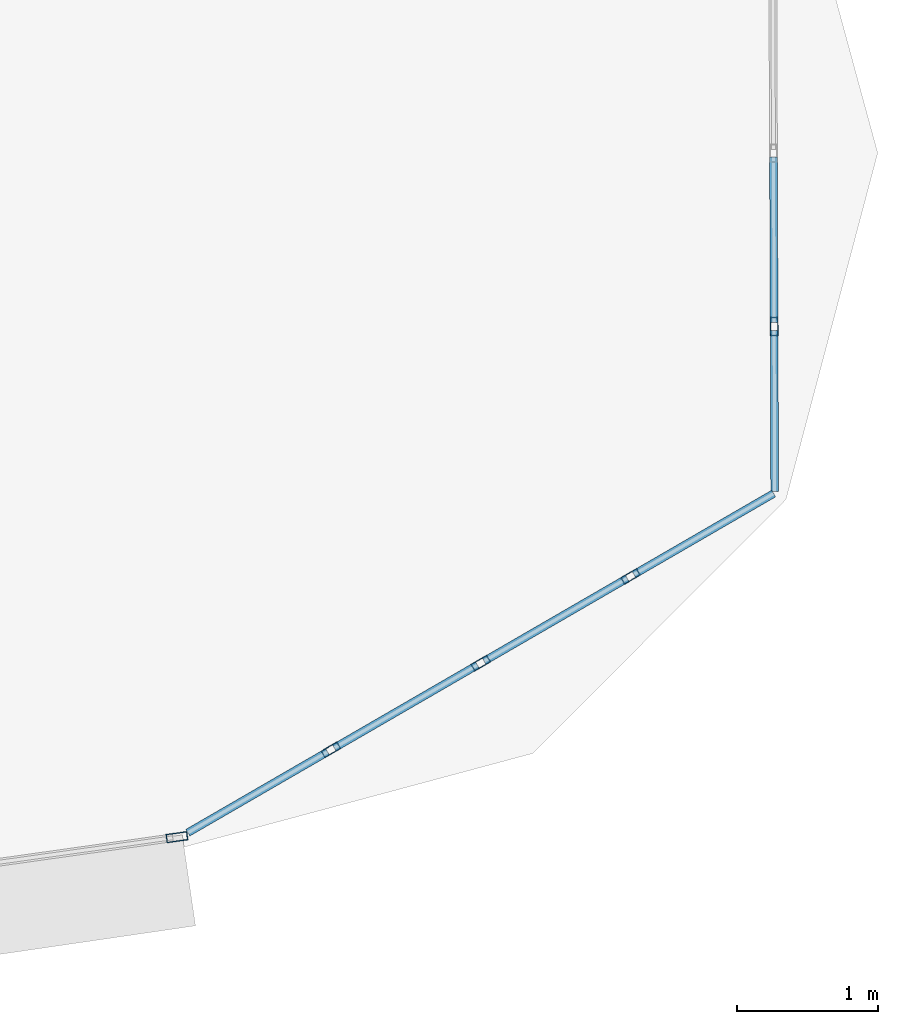
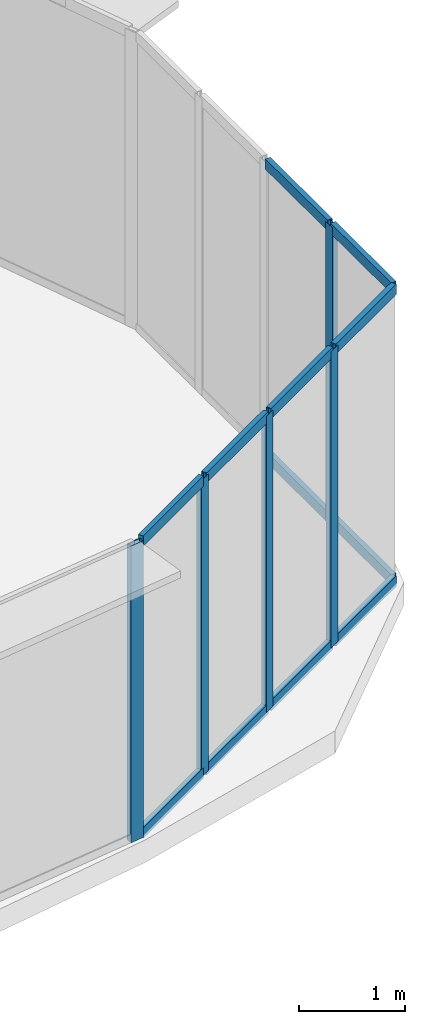
# One storey, part 24 of 41: 17 members, 3 elements without a shape of their own.
"""IFC4 building model written with IfcOpenShell, lengths in metres."""

from ifc_helpers import new_model, si_unit, direction, frame, origin, origin_2d, place, context, subcontext, project, spatial, hollow_rectangle, extrude, source, transform, mapped, material, layer, layer_set, material_profile, profile_set, type_object, element, aggregate, save


model = new_model("IFC4")

# Units and contexts
model_context = context("Model", 3, precision=1e-05, world=origin(), true_north=direction((0.0, 1.0)))
body_context = subcontext(model_context, "Body", "Model", "MODEL_VIEW")
ifc_project = project(units=[si_unit("LENGTHUNIT", "METRE"), si_unit("AREAUNIT", "SQUARE_METRE"), si_unit("VOLUMEUNIT", "CUBIC_METRE"), si_unit("PLANEANGLEUNIT", "RADIAN"), si_unit("MASSUNIT", "GRAM", prefix="KILO"), si_unit("THERMODYNAMICTEMPERATUREUNIT", "KELVIN"), si_unit("POWERUNIT", "WATT")], contexts=[model_context])

# Site, building, storey
site_placement = place(None, origin())
site = spatial("IfcSite", under=ifc_project, at=site_placement, CompositionType="ELEMENT")
building_placement = place(site_placement, origin())
building = spatial("IfcBuilding", under=site, at=building_placement, Name="Yunzhuo Pagoda Commons", CompositionType="ELEMENT")
storey_placement = place(building_placement, frame((0.0, 0.0, 155.590087890625)))
storey = spatial("IfcBuildingStorey", under=building, at=storey_placement, Name="L39", CompositionType="ELEMENT", Elevation=155.590087890625)

# Curtain wall, member
ifc_material = material(Name="Anodized aluminium 6063-T6", Category="aluminium")
ifc_layer_1 = layer(ifc_material, 0.14990234375)
ifc_layer_set_1 = layer_set([ifc_layer_1], Name="Anodized aluminium 6063-T6")
curtain_wall_type_1 = type_object("IfcCurtainWallType", Name="CW-MID Mid-Zone Ribbon Curtain Wall", PredefinedType="NOTDEFINED", material=ifc_layer_set_1)
curtain_wall_1_placement = place(storey_placement, origin())
curtain_wall_1 = element("IfcCurtainWall", 1, at=curtain_wall_1_placement, inside=storey, type_object=curtain_wall_type_1, Name="L39 curtain wall CW-L39-F1B5", PredefinedType="NOTDEFINED")
ifc_material_profile_1 = material_profile(ifc_material, hollow_rectangle(XDim=0.06005859375, YDim=0.14990234375, WallThickness=0.00390625, at=origin_2d()), Name="Anodized aluminium 6063-T6")
ifc_profile_set_1 = profile_set([ifc_material_profile_1], Name="Anodized aluminium 6063-T6")
member_type_1 = type_object("IfcMemberType", Name="CW-MID-M Mullion RHS 150x60x4", PredefinedType="MULLION", material=ifc_profile_set_1)
shared_shape_1 = source(origin(), body_context, "Body", "SweptSolid", [
    extrude(hollow_rectangle(XDim=0.06005859375, YDim=0.14990234375, WallThickness=0.00390625, at=origin_2d()), origin(), (0.0, 0.0, 1.0), 3.419921875),
])
member_1_placement = place(storey_placement, frame((83.2685546875, 16.718994140625, 0.0), z_axis=(0.0, 0.0, 1.0), x_axis=(-0.13962976996, 0.990203780714, 0.0)))
member_1 = element("IfcMember", 2, at=member_1_placement, type_object=member_type_1, Name="CW mullion 2", PredefinedType="MULLION", context=body_context, shape_type="MappedRepresentation", body=[
    mapped(shared_shape_1, transform((0.0, 0.0, 0.0), scale=1.0)),
])
aggregate(curtain_wall_1, [member_1])

# Curtain wall, members
ifc_layer_2 = layer(ifc_material, 0.1298828125)
ifc_layer_set_2 = layer_set([ifc_layer_2], Name="Anodized aluminium 6063-T6")
curtain_wall_type_2 = type_object("IfcCurtainWallType", Name="CW-VTX Rounded Corner Curtain Wall", PredefinedType="NOTDEFINED", material=ifc_layer_set_2)
curtain_wall_2_placement = place(storey_placement, origin())
curtain_wall_2 = element("IfcCurtainWall", 3, at=curtain_wall_2_placement, inside=storey, type_object=curtain_wall_type_2, Name="L39 curtain wall CW-L39-VTX2S1", PredefinedType="NOTDEFINED")
ifc_material_profile_2 = material_profile(ifc_material, hollow_rectangle(XDim=0.054931640625, YDim=0.1298828125, WallThickness=0.00341796875, at=origin_2d()), Name="Anodized aluminium 6063-T6")
ifc_profile_set_2 = profile_set([ifc_material_profile_2], Name="Anodized aluminium 6063-T6")
member_type_2 = type_object("IfcMemberType", Name="CW-VTX-M Mullion RHS 130x55x3.5", PredefinedType="MULLION", material=ifc_profile_set_2)
shared_shape_2 = source(origin(), body_context, "Body", "SweptSolid", [
    extrude(hollow_rectangle(XDim=0.054931640625, YDim=0.1298828125, WallThickness=0.00341796875, at=origin_2d()), origin(), (0.0, 0.0, 1.0), 3.419921875),
])
member_2_placement = place(storey_placement, frame((84.357666015625, 17.336669921875, 0.0), z_axis=(0.0, 0.0, 1.0), x_axis=(-0.501034660762, 0.865427217457, 0.0)))
member_2 = element("IfcMember", 4, at=member_2_placement, type_object=member_type_2, Name="CW mullion 2", PredefinedType="MULLION", context=body_context, shape_type="MappedRepresentation", body=[
    mapped(shared_shape_2, transform((0.0, 0.0, 0.0), scale=1.0)),
])
member_3_placement = place(storey_placement, frame((85.417236328125, 17.949951171875, 0.0), z_axis=(0.0, 0.0, 1.0), x_axis=(-0.501034660762, 0.865427217457, 0.0)))
member_3 = element("IfcMember", 5, at=member_3_placement, type_object=member_type_2, Name="CW mullion 3", PredefinedType="MULLION", context=body_context, shape_type="MappedRepresentation", body=[
    mapped(shared_shape_2, transform((0.0, 0.0, 0.0), scale=1.0)),
])
member_4_placement = place(storey_placement, frame((86.476806640625, 18.5634765625, 0.0), z_axis=(0.0, 0.0, 1.0), x_axis=(-0.501034660762, 0.865427217457, 0.0)))
member_4 = element("IfcMember", 6, at=member_4_placement, type_object=member_type_2, Name="CW mullion 4", PredefinedType="MULLION", context=body_context, shape_type="MappedRepresentation", body=[
    mapped(shared_shape_2, transform((0.0, 0.0, 0.0), scale=1.0)),
])

# Curtain wall, member
curtain_wall_3_placement = place(storey_placement, origin())
curtain_wall_3 = element("IfcCurtainWall", 7, at=curtain_wall_3_placement, inside=storey, type_object=curtain_wall_type_2, Name="L39 curtain wall CW-L39-VTX2S2", PredefinedType="NOTDEFINED")
member_5_placement = place(storey_placement, frame((87.492431640625, 20.331787109375, 0.0), z_axis=(0.0, 0.0, 1.0), x_axis=(-0.999993542566, -0.00359372042, 0.0)))
member_5 = element("IfcMember", 8, at=member_5_placement, type_object=member_type_2, Name="CW mullion 2", PredefinedType="MULLION", context=body_context, shape_type="MappedRepresentation", body=[
    mapped(shared_shape_2, transform((0.0, 0.0, 0.0), scale=1.0)),
])

# Member
ifc_material_profile_3 = material_profile(ifc_material, hollow_rectangle(XDim=0.054931640625, YDim=0.1201171875, WallThickness=0.00341796875, at=origin_2d()), Name="Anodized aluminium 6063-T6")
ifc_profile_set_3 = profile_set([ifc_material_profile_3], Name="Anodized aluminium 6063-T6")
member_type_3 = type_object("IfcMemberType", Name="CW-VTX-T Transom RHS 120x55x3.5", PredefinedType="USERDEFINED", material=ifc_profile_set_3)
shared_shape_3 = source(origin(), body_context, "Body", "SweptSolid", [
    extrude(hollow_rectangle(XDim=0.054931640625, YDim=0.1201171875, WallThickness=0.00341796875, at=origin_2d()), origin(), (0.0, 0.0, 1.0), 1.141845703125),
])
member_6_placement = place(storey_placement, frame((83.345703125, 16.750732421875, 0.02734375), z_axis=(0.865479953388, 0.500943559977, 0.0), x_axis=(-0.500943559977, 0.865479953388, 0.0)))
member_6 = element("IfcMember", 9, at=member_6_placement, type_object=member_type_3, Name="CW transom 1.1", ObjectType="TRANSOM", PredefinedType="USERDEFINED", context=body_context, shape_type="MappedRepresentation", body=[
    mapped(shared_shape_3, transform((0.0, 0.0, 0.0), scale=1.0)),
])

member_7_placement = place(storey_placement, frame((83.345703125, 16.750732421875, 3.392333984375), z_axis=(0.865479953388, 0.500943559977, 0.0), x_axis=(-0.500943559977, 0.865479953388, 0.0)))
member_7 = element("IfcMember", 10, at=member_7_placement, type_object=member_type_3, Name="CW transom 1.2", ObjectType="TRANSOM", PredefinedType="USERDEFINED", context=body_context, shape_type="MappedRepresentation", body=[
    mapped(shared_shape_3, transform((0.0, 0.0, 0.0), scale=1.0)),
])

shared_shape_4 = source(origin(), body_context, "Body", "SweptSolid", [
    extrude(hollow_rectangle(XDim=0.054931640625, YDim=0.1201171875, WallThickness=0.00341796875, at=origin_2d()), origin(), (0.0, 0.0, 1.0), 1.16943359375),
])
member_8_placement = place(storey_placement, frame((84.381591796875, 17.350341796875, 0.02734375), z_axis=(0.865402460801, 0.501077420005, 0.0), x_axis=(-0.501077420005, 0.865402460801, 0.0)))
member_8 = element("IfcMember", 11, at=member_8_placement, type_object=member_type_3, Name="CW transom 2.1", ObjectType="TRANSOM", PredefinedType="USERDEFINED", context=body_context, shape_type="MappedRepresentation", body=[
    mapped(shared_shape_4, transform((0.0, 0.0, 0.0), scale=1.0)),
])

member_9_placement = place(storey_placement, frame((84.381591796875, 17.350341796875, 3.392333984375), z_axis=(0.865402460801, 0.501077420005, 0.0), x_axis=(-0.501077420005, 0.865402460801, 0.0)))
member_9 = element("IfcMember", 12, at=member_9_placement, type_object=member_type_3, Name="CW transom 2.2", ObjectType="TRANSOM", PredefinedType="USERDEFINED", context=body_context, shape_type="MappedRepresentation", body=[
    mapped(shared_shape_4, transform((0.0, 0.0, 0.0), scale=1.0)),
])

member_10_placement = place(storey_placement, frame((85.441162109375, 17.9638671875, 0.02734375), z_axis=(0.865402460801, 0.501077420005, 0.0), x_axis=(-0.501077420005, 0.865402460801, 0.0)))
member_10 = element("IfcMember", 13, at=member_10_placement, type_object=member_type_3, Name="CW transom 3.1", ObjectType="TRANSOM", PredefinedType="USERDEFINED", context=body_context, shape_type="MappedRepresentation", body=[
    mapped(shared_shape_4, transform((0.0, 0.0, 0.0), scale=1.0)),
])

member_11_placement = place(storey_placement, frame((85.441162109375, 17.9638671875, 3.392333984375), z_axis=(0.865402460801, 0.501077420005, 0.0), x_axis=(-0.501077420005, 0.865402460801, 0.0)))
member_11 = element("IfcMember", 14, at=member_11_placement, type_object=member_type_3, Name="CW transom 3.2", ObjectType="TRANSOM", PredefinedType="USERDEFINED", context=body_context, shape_type="MappedRepresentation", body=[
    mapped(shared_shape_4, transform((0.0, 0.0, 0.0), scale=1.0)),
])

shared_shape_5 = source(origin(), body_context, "Body", "SweptSolid", [
    extrude(hollow_rectangle(XDim=0.054931640625, YDim=0.1201171875, WallThickness=0.00341796875, at=origin_2d()), origin(), (0.0, 0.0, 1.0), 1.169677734375),
])
member_12_placement = place(storey_placement, frame((87.492431640625, 20.359130859375, 0.02734375), z_axis=(-0.003965737965, 0.99999213643, 0.0), x_axis=(-0.99999213643, -0.003965737965, 0.0)))
member_12 = element("IfcMember", 15, at=member_12_placement, type_object=member_type_3, Name="CW transom 2.1", ObjectType="TRANSOM", PredefinedType="USERDEFINED", context=body_context, shape_type="MappedRepresentation", body=[
    mapped(shared_shape_5, transform((0.0, 0.0, 0.0), scale=1.0)),
])

member_13_placement = place(storey_placement, frame((87.492431640625, 20.359130859375, 3.392333984375), z_axis=(-0.003965737965, 0.99999213643, 0.0), x_axis=(-0.99999213643, -0.003965737965, 0.0)))
member_13 = element("IfcMember", 16, at=member_13_placement, type_object=member_type_3, Name="CW transom 2.2", ObjectType="TRANSOM", PredefinedType="USERDEFINED", context=body_context, shape_type="MappedRepresentation", body=[
    mapped(shared_shape_5, transform((0.0, 0.0, 0.0), scale=1.0)),
])

shared_shape_6 = source(origin(), body_context, "Body", "SweptSolid", [
    extrude(hollow_rectangle(XDim=0.054931640625, YDim=0.1201171875, WallThickness=0.00341796875, at=origin_2d()), origin(), (0.0, 0.0, 1.0), 1.1416015625),
])
member_14_placement = place(storey_placement, frame((87.496337890625, 19.16259765625, 0.02734375), z_axis=(-0.003421707942, 0.99999414594, 0.0), x_axis=(-0.99999414594, -0.003421707942, 0.0)))
member_14 = element("IfcMember", 17, at=member_14_placement, type_object=member_type_3, Name="CW transom 1.1", ObjectType="TRANSOM", PredefinedType="USERDEFINED", context=body_context, shape_type="MappedRepresentation", body=[
    mapped(shared_shape_6, transform((0.0, 0.0, 0.0), scale=1.0)),
])

member_15_placement = place(storey_placement, frame((87.496337890625, 19.16259765625, 3.392333984375), z_axis=(-0.003421707942, 0.99999414594, 0.0), x_axis=(-0.99999414594, -0.003421707942, 0.0)))
member_15 = element("IfcMember", 18, at=member_15_placement, type_object=member_type_3, Name="CW transom 1.2", ObjectType="TRANSOM", PredefinedType="USERDEFINED", context=body_context, shape_type="MappedRepresentation", body=[
    mapped(shared_shape_6, transform((0.0, 0.0, 0.0), scale=1.0)),
])

aggregate(curtain_wall_3, [member_5, member_14, member_15, member_12, member_13])

shared_shape_7 = source(origin(), body_context, "Body", "SweptSolid", [
    extrude(hollow_rectangle(XDim=0.054931640625, YDim=0.1201171875, WallThickness=0.00341796875, at=origin_2d()), origin(), (0.0, 0.0, 1.0), 1.14208984375),
])
member_16_placement = place(storey_placement, frame((86.500732421875, 18.5771484375, 0.02734375), z_axis=(0.86538725222, 0.501103685574, 0.0), x_axis=(-0.501103685574, 0.86538725222, 0.0)))
member_16 = element("IfcMember", 19, at=member_16_placement, type_object=member_type_3, Name="CW transom 4.1", ObjectType="TRANSOM", PredefinedType="USERDEFINED", context=body_context, shape_type="MappedRepresentation", body=[
    mapped(shared_shape_7, transform((0.0, 0.0, 0.0), scale=1.0)),
])

member_17_placement = place(storey_placement, frame((86.500732421875, 18.5771484375, 3.392333984375), z_axis=(0.86538725222, 0.501103685574, 0.0), x_axis=(-0.501103685574, 0.86538725222, 0.0)))
member_17 = element("IfcMember", 20, at=member_17_placement, type_object=member_type_3, Name="CW transom 4.2", ObjectType="TRANSOM", PredefinedType="USERDEFINED", context=body_context, shape_type="MappedRepresentation", body=[
    mapped(shared_shape_7, transform((0.0, 0.0, 0.0), scale=1.0)),
])

aggregate(curtain_wall_2, [member_2, member_3, member_4, member_6, member_7, member_8, member_9, member_10, member_11, member_16, member_17])

save(model, "model.ifc")
